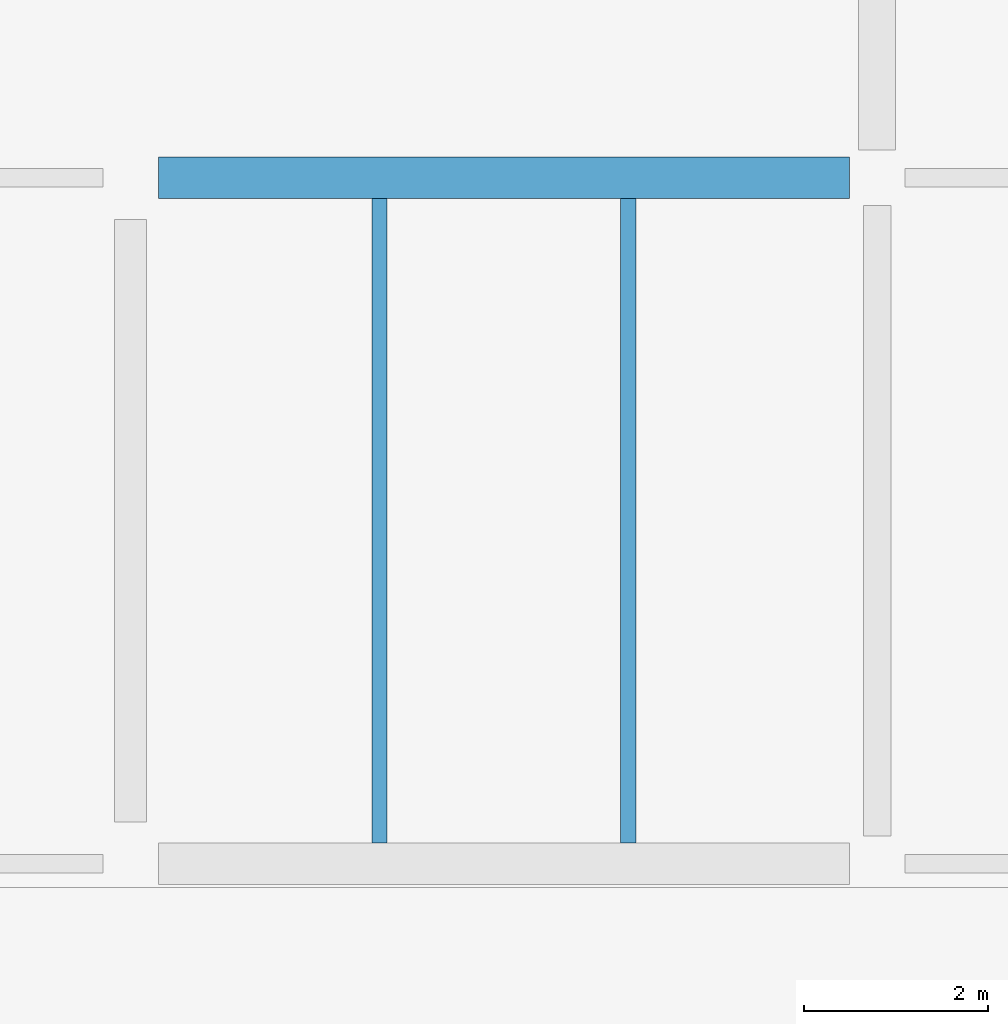
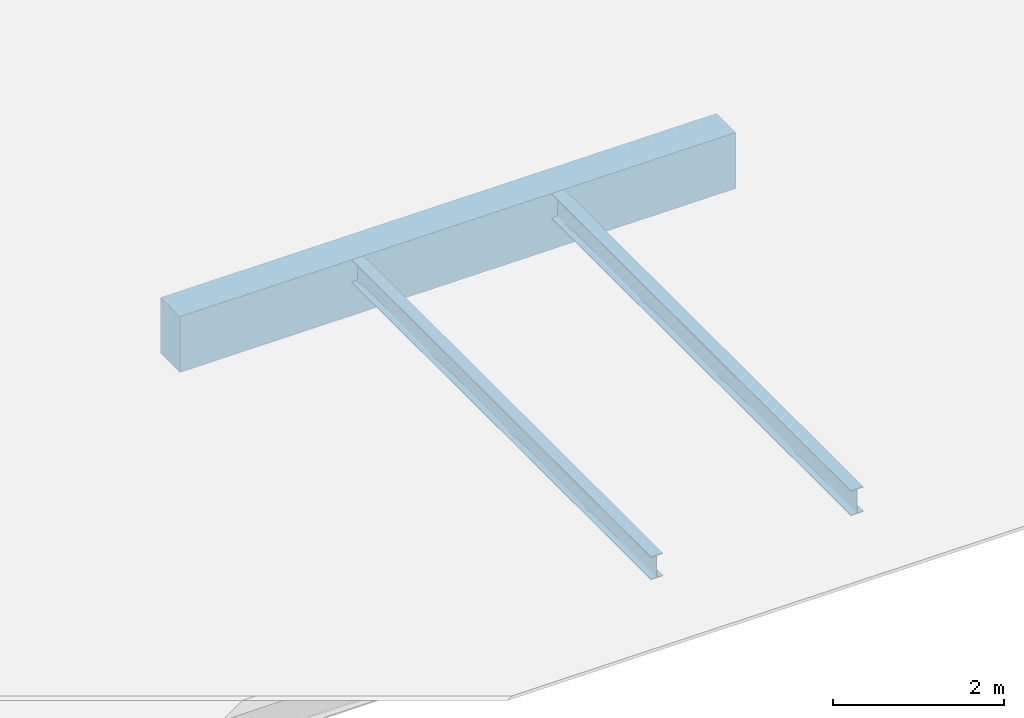
# One storey, part 17 of 56: 3 beams.
"""IFC4 building model written with IfcOpenShell, lengths in metres."""

from ifc_helpers import new_model, si_unit, direction, frame, origin, origin_2d, place, context, subcontext, project, spatial, rectangle, i_section, extrude, material, material_profile, profile_set, type_object, element, save


model = new_model("IFC4")

# Units and contexts
model_context = context("Model", 3, precision=1e-05, world=origin(), true_north=direction((0.0, 1.0)))
body_context = subcontext(model_context, "Body", "Model", "MODEL_VIEW")
ifc_project = project(units=[si_unit("LENGTHUNIT", "METRE"), si_unit("AREAUNIT", "SQUARE_METRE"), si_unit("VOLUMEUNIT", "CUBIC_METRE"), si_unit("PLANEANGLEUNIT", "RADIAN"), si_unit("MASSUNIT", "GRAM", prefix="KILO")], contexts=[model_context])

# Site, building, storey
site_placement = place(None, origin())
site = spatial("IfcSite", under=ifc_project, at=site_placement, CompositionType="ELEMENT")
building_placement = place(site_placement, origin())
building = spatial("IfcBuilding", under=site, at=building_placement, Name="Kaelora Sail Theatre", CompositionType="ELEMENT")
storey_placement = place(building_placement, frame((0.0, 0.0, 14.699951171875)))
storey = spatial("IfcBuildingStorey", under=building, at=storey_placement, Name="L03", CompositionType="ELEMENT", Elevation=14.699951171875)

# Beams
ifc_material_1 = material(Name="Concrete C45/55", Category="concrete")
ifc_material_profile_1 = material_profile(ifc_material_1, rectangle(XDim=0.449951171875, YDim=0.800048828125, at=origin_2d()), Name="RC-BM 450x800")
ifc_profile_set_1 = profile_set([ifc_material_profile_1], Name="Concrete C45/55")
beam_type_1 = type_object("IfcBeamType", Name="STR-BM-BM-RC4580", PredefinedType="BEAM", material=ifc_profile_set_1)
beam_1_placement = place(storey_placement, frame((99.0, 75.89990234375, -0.675048828125), z_axis=(1.0, 0.0, 0.0), x_axis=(0.0, 1.0, 0.0)))
element("IfcBeam", 1, at=beam_1_placement, inside=storey, type_object=beam_type_1, Name="Primary beam K 13-14 (L03)", PredefinedType="BEAM", context=body_context, shape_type="SweptSolid", body=[
    extrude(rectangle(XDim=0.449951171875, YDim=0.800048828125, at=origin_2d()), origin(), (0.0, 0.0, 1.0), 7.5),
])
ifc_material_2 = material(Name="Steel S355", Category="steel")
ifc_material_profile_2 = material_profile(ifc_material_2, i_section(OverallWidth=0.159912109375, OverallDepth=0.330078125, WebThickness=0.007568359375, FlangeThickness=0.011474609375, FilletRadius=0.01806640625, at=origin_2d()), Name="IPE 330")
ifc_profile_set_2 = profile_set([ifc_material_profile_2], Name="Steel S355")
beam_type_2 = type_object("IfcBeamType", Name="STR-BM-JS-IPE330", PredefinedType="JOIST", material=ifc_profile_set_2)
beam_2_placement = place(storey_placement, frame((101.39990234375, 68.68505859375, -0.43994140625), z_axis=(0.0, 1.0, 0.0), x_axis=(-1.0, 0.0, 0.0)))
element("IfcBeam", 2, at=beam_2_placement, inside=storey, type_object=beam_type_2, Name="Secondary floor joist 13/J-1 (L03)", PredefinedType="JOIST", context=body_context, shape_type="SweptSolid", body=[
    extrude(i_section(OverallWidth=0.159912109375, OverallDepth=0.330078125, WebThickness=0.007568359375, FlangeThickness=0.011474609375, FilletRadius=0.01806640625, at=origin_2d()), origin(), (0.0, 0.0, 1.0), 6.989990234375),
])
ifc_material_3 = material(Name="Steel S355", Category="steel")
ifc_material_profile_3 = material_profile(ifc_material_3, i_section(OverallWidth=0.169921875, OverallDepth=0.360107421875, WebThickness=0.008056640625, FlangeThickness=0.0126953125, FilletRadius=0.01806640625, at=origin_2d()), Name="IPE 360")
ifc_profile_set_3 = profile_set([ifc_material_profile_3], Name="Steel S355")
beam_type_3 = type_object("IfcBeamType", Name="STR-BM-JS-IPE360", PredefinedType="JOIST", material=ifc_profile_set_3)
beam_3_placement = place(storey_placement, frame((104.10009765625, 68.68505859375, -0.454833984375), z_axis=(0.0, 1.0, 0.0), x_axis=(-1.0, 0.0, 0.0)))
element("IfcBeam", 3, at=beam_3_placement, inside=storey, type_object=beam_type_3, Name="Secondary floor joist 13/J-2 (L03)", PredefinedType="JOIST", context=body_context, shape_type="SweptSolid", body=[
    extrude(i_section(OverallWidth=0.169921875, OverallDepth=0.360107421875, WebThickness=0.008056640625, FlangeThickness=0.0126953125, FilletRadius=0.01806640625, at=origin_2d()), origin(), (0.0, 0.0, 1.0), 6.989990234375),
])

save(model, "model.ifc")
